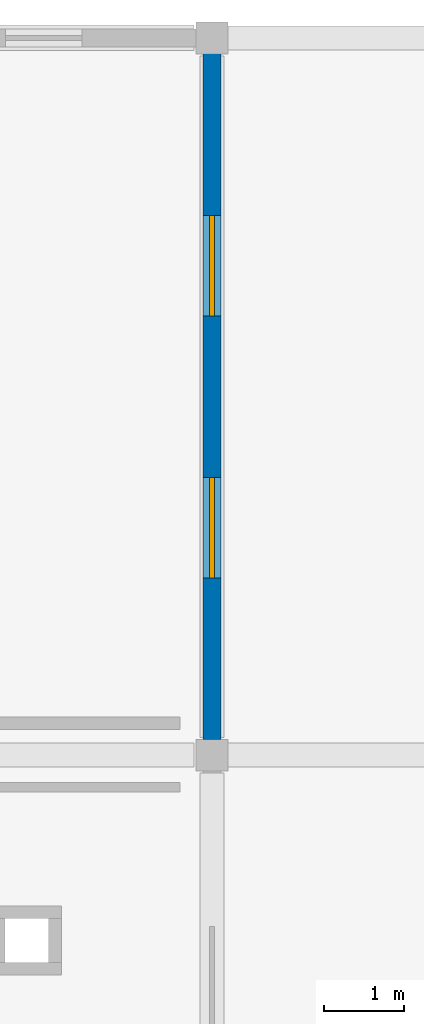
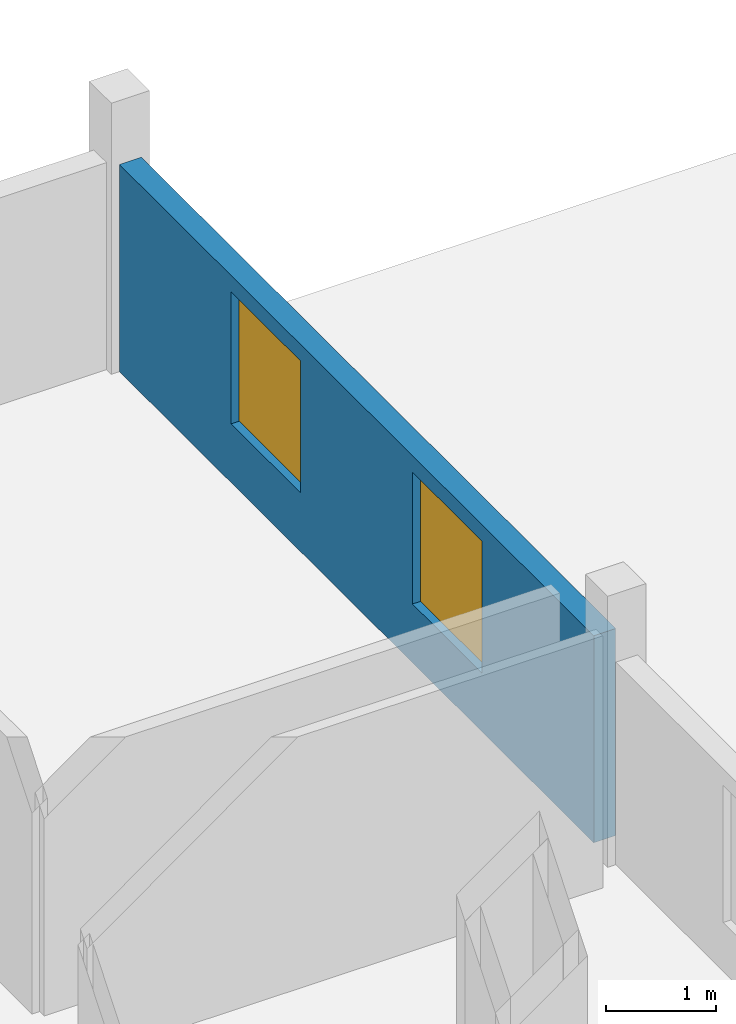
# One storey, part 5 of 6: 2 windows, 1 wall, 2 openings.
"""IFC4 building model written with IfcOpenShell, lengths in metres."""

from ifc_helpers import new_model, si_unit, direction, frame, frame_2d, origin, place, context, subcontext, project, spatial, rectangle, extrude, material, layer, layer_set, type_object, element, fill, save


model = new_model("IFC4")

# Units and contexts
model_context = context("Model", 3, precision=1e-05, world=origin(), true_north=direction((0.0, 1.0)))
body_context = subcontext(model_context, "Body", "Model", "MODEL_VIEW")
ifc_project = project(units=[si_unit("LENGTHUNIT", "METRE"), si_unit("AREAUNIT", "SQUARE_METRE"), si_unit("VOLUMEUNIT", "CUBIC_METRE"), si_unit("PLANEANGLEUNIT", "RADIAN"), si_unit("MASSUNIT", "GRAM", prefix="KILO")], contexts=[model_context])

# Site, building, storey
site_placement = place(None, origin())
site = spatial("IfcSite", under=ifc_project, at=site_placement, CompositionType="ELEMENT")
building_placement = place(site_placement, origin())
building = spatial("IfcBuilding", under=site, at=building_placement, Name="Tharagai Park Tramway Depot", CompositionType="ELEMENT")
storey_placement = place(building_placement, frame((0.0, 0.0, 15.0)))
storey = spatial("IfcBuildingStorey", under=building, at=storey_placement, Name="L04", CompositionType="ELEMENT", Elevation=15.0)

# Wall, openings, windows
ifc_material_1 = material(Name="Pressed clay brick", Category="masonry")
ifc_layer = layer(ifc_material_1, 0.22998046875)
ifc_layer_set = layer_set([ifc_layer], Name="Pressed clay brick")
wall_type = type_object("IfcWallType", Name="EW-06", PredefinedType="SOLIDWALL", material=ifc_layer_set)
wall_placement = place(storey_placement, frame((18.0, 27.197998046875, 0.0), z_axis=(0.0, 0.0, 1.0), x_axis=(0.0, 1.0, 0.0)))
wall = element("IfcWall", 1, at=wall_placement, inside=storey, type_object=wall_type, Name="L04 V4 Exterior Masonry Wall EW-06", PredefinedType="SOLIDWALL", context=body_context, shape_type="SweptSolid", body=[
    extrude(rectangle(XDim=8.60400390625, YDim=0.22998046875, at=frame_2d((4.302001953125, 0.0))), origin(), (0.0, 0.0, 1.0), 2.2919921875),
])
opening_1_placement = place(wall_placement, frame((2.028076171875, 0.0, 0.64990234375)))
opening_1 = element("IfcOpeningElement", 2, at=opening_1_placement, cuts=wall, Name="Opening WN-09", PredefinedType="OPENING", context=body_context, shape_type="SweptSolid", body=[
    extrude(rectangle(XDim=1.260009765625, YDim=1.4599609375, at=frame_2d((0.6298828125, 0.72998046875))), frame((0.0, 0.125, 0.0), z_axis=(0.0, -1.0, 0.0), x_axis=(1.0, 0.0, 0.0)), (0.0, 0.0, 1.0), 0.25),
])
opening_2_placement = place(wall_placement, frame((5.31591796875, 0.0, 0.64990234375)))
opening_2 = element("IfcOpeningElement", 3, at=opening_2_placement, cuts=wall, Name="Opening WN-09", PredefinedType="OPENING", context=body_context, shape_type="SweptSolid", body=[
    extrude(rectangle(XDim=1.260009765625, YDim=1.4599609375, at=frame_2d((0.6298828125, 0.72998046875))), frame((0.0, 0.125, 0.0), z_axis=(0.0, -1.0, 0.0), x_axis=(1.0, 0.0, 0.0)), (0.0, 0.0, 1.0), 0.25),
])
ifc_material_2 = material(Name="Laminated solar-control glass", Category="glass")
window_type = type_object("IfcWindowType", Name="WN-09", PartitioningType="SINGLE_PANEL", PredefinedType="WINDOW", material=ifc_material_2)
window_1_placement = place(opening_1_placement, origin())
window_1 = element("IfcWindow", 4, at=window_1_placement, inside=storey, type_object=window_type, Name="L04 V4 Side Lancet Window WN-09", OverallHeight=1.4599609375, OverallWidth=1.260009765625, PartitioningType="SINGLE_PANEL", PredefinedType="WINDOW", context=body_context, shape_type="SweptSolid", body=[
    extrude(rectangle(XDim=1.260009765625, YDim=1.4599609375, at=frame_2d((0.6298828125, 0.72998046875))), frame((0.0, 0.030029296875, 0.0), z_axis=(0.0, -1.0, 0.0), x_axis=(1.0, 0.0, 0.0)), (0.0, 0.0, 1.0), 0.06005859375),
])
fill(opening_1, window_1)
window_2_placement = place(opening_2_placement, origin())
window_2 = element("IfcWindow", 5, at=window_2_placement, inside=storey, type_object=window_type, Name="L04 V4 Side Lancet Window WN-09", OverallHeight=1.4599609375, OverallWidth=1.260009765625, PartitioningType="SINGLE_PANEL", PredefinedType="WINDOW", context=body_context, shape_type="SweptSolid", body=[
    extrude(rectangle(XDim=1.260009765625, YDim=1.4599609375, at=frame_2d((0.6298828125, 0.72998046875))), frame((0.0, 0.030029296875, 0.0), z_axis=(0.0, -1.0, 0.0), x_axis=(1.0, 0.0, 0.0)), (0.0, 0.0, 1.0), 0.06005859375),
])
fill(opening_2, window_2)

save(model, "model.ifc")
